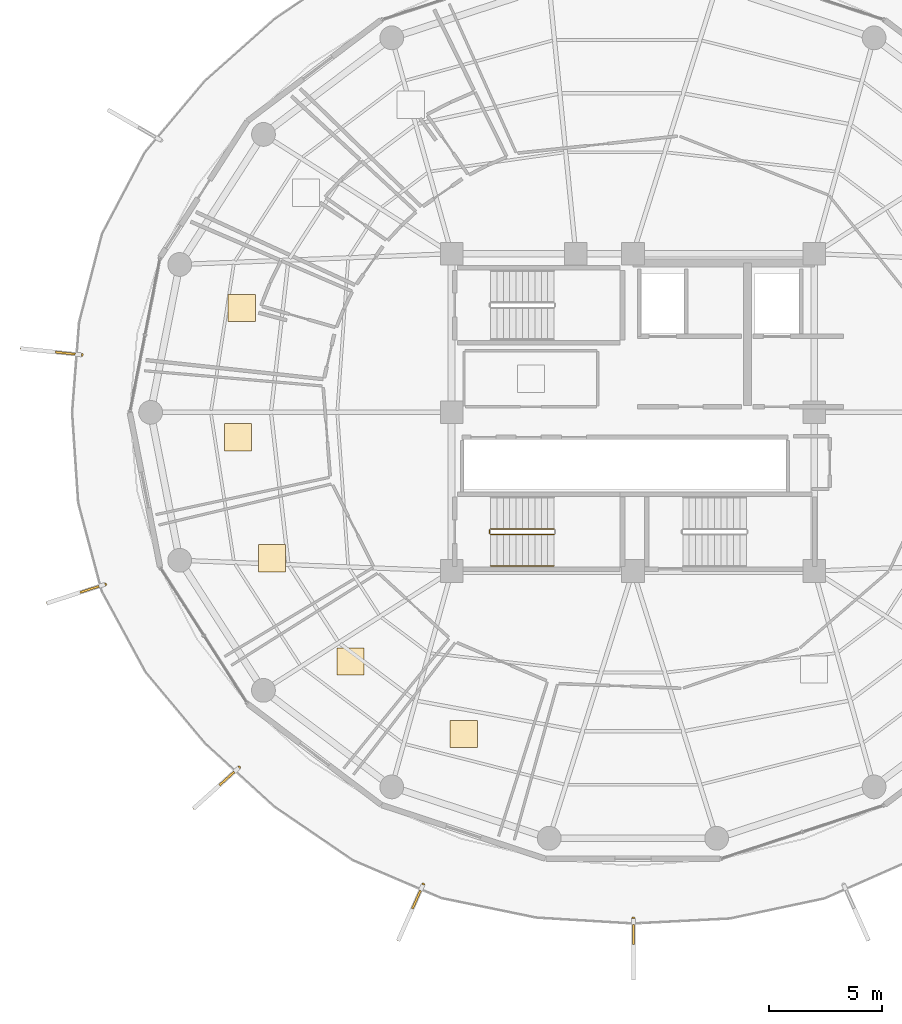
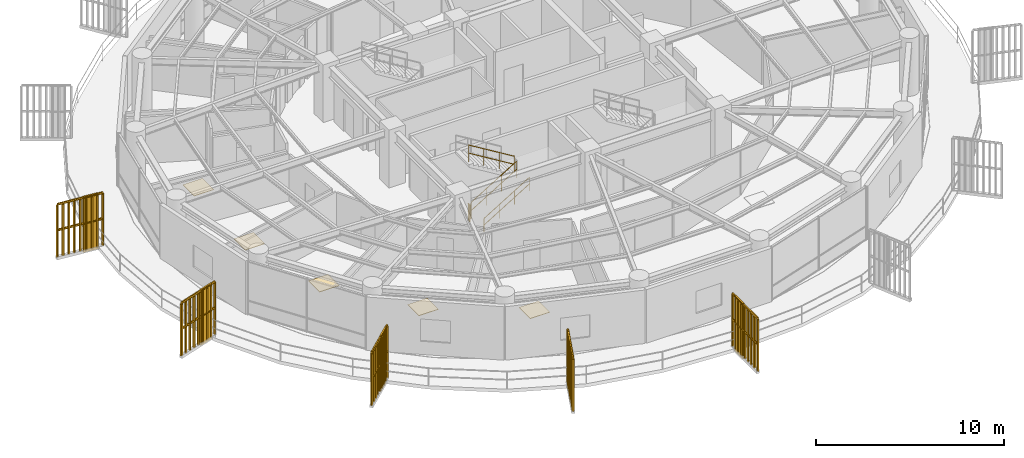
# One storey, part 28 of 31: 9 railings, 5 coverings, 5 shading devices.
"""IFC4 building model written with IfcOpenShell, lengths in metres."""

from ifc_helpers import new_model, si_unit, direction, frame, origin, origin_2d, place, context, subcontext, project, spatial, polyline, rectangle, outline, extrude, source, transform, mapped, material, layer, layer_set, type_object, element, save


model = new_model("IFC4")

# Units and contexts
model_context = context("Model", 3, precision=1e-05, world=origin(), true_north=direction((0.0, 1.0)))
body_context = subcontext(model_context, "Body", "Model", "MODEL_VIEW")
ifc_project = project(units=[si_unit("LENGTHUNIT", "METRE"), si_unit("AREAUNIT", "SQUARE_METRE"), si_unit("VOLUMEUNIT", "CUBIC_METRE"), si_unit("PLANEANGLEUNIT", "RADIAN"), si_unit("MASSUNIT", "GRAM", prefix="KILO")], contexts=[model_context])

# Site, building, storey
site_placement = place(None, origin())
site = spatial("IfcSite", under=ifc_project, at=site_placement, CompositionType="ELEMENT")
building_placement = place(site_placement, origin())
building = spatial("IfcBuilding", under=site, at=building_placement, Name="Kelanora Arch Commons", CompositionType="ELEMENT")
storey_placement = place(building_placement, frame((0.0, 0.0, 223.199951171875)))
storey = spatial("IfcBuildingStorey", under=building, at=storey_placement, Name="L57", CompositionType="ELEMENT", Elevation=223.199951171875)

# Railings
ifc_material_1 = material(Name="Anodised bronze vertical shading fin rib assembly")
railing_type_1 = type_object("IfcRailingType", Name="RAIL-FIN-BRZ", PredefinedType="BALUSTRADE", material=ifc_material_1)
railing_1_placement = place(storey_placement, frame((49.674072265625, 60.538818359375, -0.02001953125)))
element("IfcRailing", 1, at=railing_1_placement, inside=storey, type_object=railing_type_1, Name="Sweeping Bronze Vertical Fin Blade L57-09", PredefinedType="BALUSTRADE", context=body_context, shape_type="SweptSolid", body=[
    extrude(outline(polyline([(0.06982421875, 0.0), (0.034912109375, 0.060546875), (-0.034912109375, 0.060546875), (-0.06982421875, 0.0), (-0.034912109375, -0.060546875), (0.034912109375, -0.060546875), (0.06982421875, 0.0)])), frame((0.0, 0.0, 3.419921875), z_axis=(-0.994598420044, 0.103797797888, 0.0), x_axis=(-0.103797797888, -0.994598420044, 0.0)), (0.0, 0.0, 1.0), 2.65087890625),
    extrude(outline(polyline([(0.06982421875, 0.0), (0.034912109375, 0.060546875), (-0.034912109375, 0.060546875), (-0.06982421875, 0.0), (-0.034912109375, -0.060546875), (0.034912109375, -0.060546875), (0.06982421875, 0.0)])), frame((0.0, 0.0, 1.7451171875), z_axis=(-0.994598420044, 0.103797797888, 0.0), x_axis=(-0.103797797888, -0.994598420044, 0.0)), (0.0, 0.0, 1.0), 2.65087890625),
    extrude(outline(polyline([(0.080078125, 0.0), (0.0400390625, 0.0693359375), (-0.0400390625, 0.0693359375), (-0.080078125, 0.0), (-0.0400390625, -0.0693359375), (0.0400390625, -0.0693359375), (0.080078125, 0.0)])), origin(), (0.0, 0.0, 1.0), 3.35009765625),
    extrude(outline(polyline([(0.080078125, 0.0), (0.0400390625, 0.0693359375), (-0.0400390625, 0.0693359375), (-0.080078125, 0.0), (-0.0400390625, -0.0693359375), (0.0400390625, -0.0693359375), (0.080078125, 0.0)])), frame((-0.32958984375, 0.034423828125, 0.0)), (0.0, 0.0, 1.0), 3.35009765625),
    extrude(outline(polyline([(0.080078125, 0.0), (0.0400390625, 0.0693359375), (-0.0400390625, 0.0693359375), (-0.080078125, 0.0), (-0.0400390625, -0.0693359375), (0.0400390625, -0.0693359375), (0.080078125, 0.0)])), frame((-0.6591796875, 0.06884765625, 0.0)), (0.0, 0.0, 1.0), 3.35009765625),
    extrude(outline(polyline([(0.080078125, 0.0), (0.0400390625, 0.0693359375), (-0.0400390625, 0.0693359375), (-0.080078125, 0.0), (-0.0400390625, -0.0693359375), (0.0400390625, -0.0693359375), (0.080078125, 0.0)])), frame((-0.98876953125, 0.103271484375, 0.0)), (0.0, 0.0, 1.0), 3.35009765625),
    extrude(outline(polyline([(0.080078125, 0.0), (0.0400390625, 0.0693359375), (-0.0400390625, 0.0693359375), (-0.080078125, 0.0), (-0.0400390625, -0.0693359375), (0.0400390625, -0.0693359375), (0.080078125, 0.0)])), frame((-1.318359375, 0.1376953125, 0.0)), (0.0, 0.0, 1.0), 3.35009765625),
    extrude(outline(polyline([(0.080078125, 0.0), (0.0400390625, 0.0693359375), (-0.0400390625, 0.0693359375), (-0.080078125, 0.0), (-0.0400390625, -0.0693359375), (0.0400390625, -0.0693359375), (0.080078125, 0.0)])), frame((-1.647705078125, 0.171875, 0.0)), (0.0, 0.0, 1.0), 3.35009765625),
    extrude(outline(polyline([(0.080078125, 0.0), (0.0400390625, 0.0693359375), (-0.0400390625, 0.0693359375), (-0.080078125, 0.0), (-0.0400390625, -0.0693359375), (0.0400390625, -0.0693359375), (0.080078125, 0.0)])), frame((-1.977294921875, 0.206298828125, 0.0)), (0.0, 0.0, 1.0), 3.35009765625),
    extrude(outline(polyline([(0.080078125, 0.0), (0.0400390625, 0.0693359375), (-0.0400390625, 0.0693359375), (-0.080078125, 0.0), (-0.0400390625, -0.0693359375), (0.0400390625, -0.0693359375), (0.080078125, 0.0)])), frame((-2.306884765625, 0.24072265625, 0.0)), (0.0, 0.0, 1.0), 3.35009765625),
    extrude(outline(polyline([(0.080078125, 0.0), (0.0400390625, 0.0693359375), (-0.0400390625, 0.0693359375), (-0.080078125, 0.0), (-0.0400390625, -0.0693359375), (0.0400390625, -0.0693359375), (0.080078125, 0.0)])), frame((-2.636474609375, 0.275146484375, 0.0)), (0.0, 0.0, 1.0), 3.35009765625),
])
railing_2_placement = place(storey_placement, frame((50.709716796875, 50.413818359375, -0.02001953125)))
element("IfcRailing", 2, at=railing_2_placement, inside=storey, type_object=railing_type_1, Name="Sweeping Bronze Vertical Fin Blade L57-10", PredefinedType="BALUSTRADE", context=body_context, shape_type="SweptSolid", body=[
    extrude(outline(polyline([(0.06982421875, 0.0), (0.034912109375, 0.060546875), (-0.034912109375, 0.060546875), (-0.06982421875, 0.0), (-0.034912109375, -0.060546875), (0.034912109375, -0.060546875), (0.06982421875, 0.0)])), frame((0.0, 0.0, 3.419921875), z_axis=(-0.950825394223, -0.309727411931, 0.0), x_axis=(0.309727411931, -0.950825394223, 0.0)), (0.0, 0.0, 1.0), 2.65087890625),
    extrude(outline(polyline([(0.06982421875, 0.0), (0.034912109375, 0.060546875), (-0.034912109375, 0.060546875), (-0.06982421875, 0.0), (-0.034912109375, -0.060546875), (0.034912109375, -0.060546875), (0.06982421875, 0.0)])), frame((0.0, 0.0, 1.7451171875), z_axis=(-0.950825394223, -0.309727411931, 0.0), x_axis=(0.309727411931, -0.950825394223, 0.0)), (0.0, 0.0, 1.0), 2.65087890625),
    extrude(outline(polyline([(0.080078125, 0.0), (0.0400390625, 0.0693359375), (-0.0400390625, 0.0693359375), (-0.080078125, 0.0), (-0.0400390625, -0.0693359375), (0.0400390625, -0.0693359375), (0.080078125, 0.0)])), origin(), (0.0, 0.0, 1.0), 3.35009765625),
    extrude(outline(polyline([(0.080078125, 0.0), (0.0400390625, 0.0693359375), (-0.0400390625, 0.0693359375), (-0.080078125, 0.0), (-0.0400390625, -0.0693359375), (0.0400390625, -0.0693359375), (0.080078125, 0.0)])), frame((-0.31494140625, -0.1025390625, 0.0)), (0.0, 0.0, 1.0), 3.35009765625),
    extrude(outline(polyline([(0.080078125, 0.0), (0.0400390625, 0.0693359375), (-0.0400390625, 0.0693359375), (-0.080078125, 0.0), (-0.0400390625, -0.0693359375), (0.0400390625, -0.0693359375), (0.080078125, 0.0)])), frame((-0.630126953125, -0.205322265625, 0.0)), (0.0, 0.0, 1.0), 3.35009765625),
    extrude(outline(polyline([(0.080078125, 0.0), (0.0400390625, 0.0693359375), (-0.0400390625, 0.0693359375), (-0.080078125, 0.0), (-0.0400390625, -0.0693359375), (0.0400390625, -0.0693359375), (0.080078125, 0.0)])), frame((-0.9453125, -0.307861328125, 0.0)), (0.0, 0.0, 1.0), 3.35009765625),
    extrude(outline(polyline([(0.080078125, 0.0), (0.0400390625, 0.0693359375), (-0.0400390625, 0.0693359375), (-0.080078125, 0.0), (-0.0400390625, -0.0693359375), (0.0400390625, -0.0693359375), (0.080078125, 0.0)])), frame((-1.26025390625, -0.41064453125, 0.0)), (0.0, 0.0, 1.0), 3.35009765625),
    extrude(outline(polyline([(0.080078125, 0.0), (0.0400390625, 0.0693359375), (-0.0400390625, 0.0693359375), (-0.080078125, 0.0), (-0.0400390625, -0.0693359375), (0.0400390625, -0.0693359375), (0.080078125, 0.0)])), frame((-1.5751953125, -0.51318359375, 0.0)), (0.0, 0.0, 1.0), 3.35009765625),
    extrude(outline(polyline([(0.080078125, 0.0), (0.0400390625, 0.0693359375), (-0.0400390625, 0.0693359375), (-0.080078125, 0.0), (-0.0400390625, -0.0693359375), (0.0400390625, -0.0693359375), (0.080078125, 0.0)])), frame((-1.890380859375, -0.61572265625, 0.0)), (0.0, 0.0, 1.0), 3.35009765625),
    extrude(outline(polyline([(0.080078125, 0.0), (0.0400390625, 0.0693359375), (-0.0400390625, 0.0693359375), (-0.080078125, 0.0), (-0.0400390625, -0.0693359375), (0.0400390625, -0.0693359375), (0.080078125, 0.0)])), frame((-2.20556640625, -0.718505859375, 0.0)), (0.0, 0.0, 1.0), 3.35009765625),
    extrude(outline(polyline([(0.080078125, 0.0), (0.0400390625, 0.0693359375), (-0.0400390625, 0.0693359375), (-0.080078125, 0.0), (-0.0400390625, -0.0693359375), (0.0400390625, -0.0693359375), (0.080078125, 0.0)])), frame((-2.5205078125, -0.821044921875, 0.0)), (0.0, 0.0, 1.0), 3.35009765625),
])
railing_3_placement = place(storey_placement, frame((56.62060546875, 42.32861328125, -0.02001953125)))
element("IfcRailing", 3, at=railing_3_placement, inside=storey, type_object=railing_type_1, Name="Sweeping Bronze Vertical Fin Blade L57-11", PredefinedType="BALUSTRADE", context=body_context, shape_type="SweptSolid", body=[
    extrude(outline(polyline([(0.06982421875, 0.0), (0.034912109375, 0.060546875), (-0.034912109375, 0.060546875), (-0.06982421875, 0.0), (-0.034912109375, -0.060546875), (0.034912109375, -0.060546875), (0.06982421875, 0.0)])), frame((0.0, 0.0, 3.419921875), z_axis=(-0.742593074873, -0.669742879881, 0.0), x_axis=(0.669742879881, -0.742593074873, 0.0)), (0.0, 0.0, 1.0), 2.65087890625),
    extrude(outline(polyline([(0.06982421875, 0.0), (0.034912109375, 0.060546875), (-0.034912109375, 0.060546875), (-0.06982421875, 0.0), (-0.034912109375, -0.060546875), (0.034912109375, -0.060546875), (0.06982421875, 0.0)])), frame((0.0, 0.0, 1.7451171875), z_axis=(-0.742593074873, -0.669742879881, 0.0), x_axis=(0.669742879881, -0.742593074873, 0.0)), (0.0, 0.0, 1.0), 2.65087890625),
    extrude(outline(polyline([(0.080078125, 0.0), (0.0400390625, 0.0693359375), (-0.0400390625, 0.0693359375), (-0.080078125, 0.0), (-0.0400390625, -0.0693359375), (0.0400390625, -0.0693359375), (0.080078125, 0.0)])), origin(), (0.0, 0.0, 1.0), 3.35009765625),
    extrude(outline(polyline([(0.080078125, 0.0), (0.0400390625, 0.0693359375), (-0.0400390625, 0.0693359375), (-0.080078125, 0.0), (-0.0400390625, -0.0693359375), (0.0400390625, -0.0693359375), (0.080078125, 0.0)])), frame((-0.24609375, -0.221923828125, 0.0)), (0.0, 0.0, 1.0), 3.35009765625),
    extrude(outline(polyline([(0.080078125, 0.0), (0.0400390625, 0.0693359375), (-0.0400390625, 0.0693359375), (-0.080078125, 0.0), (-0.0400390625, -0.0693359375), (0.0400390625, -0.0693359375), (0.080078125, 0.0)])), frame((-0.4921875, -0.44384765625, 0.0)), (0.0, 0.0, 1.0), 3.35009765625),
    extrude(outline(polyline([(0.080078125, 0.0), (0.0400390625, 0.0693359375), (-0.0400390625, 0.0693359375), (-0.080078125, 0.0), (-0.0400390625, -0.0693359375), (0.0400390625, -0.0693359375), (0.080078125, 0.0)])), frame((-0.73828125, -0.665771484375, 0.0)), (0.0, 0.0, 1.0), 3.35009765625),
    extrude(outline(polyline([(0.080078125, 0.0), (0.0400390625, 0.0693359375), (-0.0400390625, 0.0693359375), (-0.080078125, 0.0), (-0.0400390625, -0.0693359375), (0.0400390625, -0.0693359375), (0.080078125, 0.0)])), frame((-0.984375, -0.8876953125, 0.0)), (0.0, 0.0, 1.0), 3.35009765625),
    extrude(outline(polyline([(0.080078125, 0.0), (0.0400390625, 0.0693359375), (-0.0400390625, 0.0693359375), (-0.080078125, 0.0), (-0.0400390625, -0.0693359375), (0.0400390625, -0.0693359375), (0.080078125, 0.0)])), frame((-1.230224609375, -1.109619140625, 0.0)), (0.0, 0.0, 1.0), 3.35009765625),
    extrude(outline(polyline([(0.080078125, 0.0), (0.0400390625, 0.0693359375), (-0.0400390625, 0.0693359375), (-0.080078125, 0.0), (-0.0400390625, -0.0693359375), (0.0400390625, -0.0693359375), (0.080078125, 0.0)])), frame((-1.476318359375, -1.33154296875, 0.0)), (0.0, 0.0, 1.0), 3.35009765625),
    extrude(outline(polyline([(0.080078125, 0.0), (0.0400390625, 0.0693359375), (-0.0400390625, 0.0693359375), (-0.080078125, 0.0), (-0.0400390625, -0.0693359375), (0.0400390625, -0.0693359375), (0.080078125, 0.0)])), frame((-1.722412109375, -1.553466796875, 0.0)), (0.0, 0.0, 1.0), 3.35009765625),
    extrude(outline(polyline([(0.080078125, 0.0), (0.0400390625, 0.0693359375), (-0.0400390625, 0.0693359375), (-0.080078125, 0.0), (-0.0400390625, -0.0693359375), (0.0400390625, -0.0693359375), (0.080078125, 0.0)])), frame((-1.968505859375, -1.775390625, 0.0)), (0.0, 0.0, 1.0), 3.35009765625),
])
railing_4_placement = place(storey_placement, frame((64.740234375, 37.1611328125, -0.02001953125)))
element("IfcRailing", 4, at=railing_4_placement, inside=storey, type_object=railing_type_1, Name="Sweeping Bronze Vertical Fin Blade L57-12", PredefinedType="BALUSTRADE", context=body_context, shape_type="SweptSolid", body=[
    extrude(outline(polyline([(0.06982421875, 0.0), (0.034912109375, 0.060546875), (-0.034912109375, 0.060546875), (-0.06982421875, 0.0), (-0.034912109375, -0.060546875), (0.034912109375, -0.060546875), (0.06982421875, 0.0)])), frame((0.0, 0.0, 3.419921875), z_axis=(-0.406078646222, -0.913838132867, 0.0), x_axis=(0.913838132867, -0.406078646222, 0.0)), (0.0, 0.0, 1.0), 2.65087890625),
    extrude(outline(polyline([(0.06982421875, 0.0), (0.034912109375, 0.060546875), (-0.034912109375, 0.060546875), (-0.06982421875, 0.0), (-0.034912109375, -0.060546875), (0.034912109375, -0.060546875), (0.06982421875, 0.0)])), frame((0.0, 0.0, 1.7451171875), z_axis=(-0.406078646222, -0.913838132867, 0.0), x_axis=(0.913838132867, -0.406078646222, 0.0)), (0.0, 0.0, 1.0), 2.65087890625),
    extrude(outline(polyline([(0.080078125, 0.0), (0.0400390625, 0.0693359375), (-0.0400390625, 0.0693359375), (-0.080078125, 0.0), (-0.0400390625, -0.0693359375), (0.0400390625, -0.0693359375), (0.080078125, 0.0)])), origin(), (0.0, 0.0, 1.0), 3.35009765625),
    extrude(outline(polyline([(0.080078125, 0.0), (0.0400390625, 0.0693359375), (-0.0400390625, 0.0693359375), (-0.080078125, 0.0), (-0.0400390625, -0.0693359375), (0.0400390625, -0.0693359375), (0.080078125, 0.0)])), frame((-0.134521484375, -0.302734375, 0.0)), (0.0, 0.0, 1.0), 3.35009765625),
    extrude(outline(polyline([(0.080078125, 0.0), (0.0400390625, 0.0693359375), (-0.0400390625, 0.0693359375), (-0.080078125, 0.0), (-0.0400390625, -0.0693359375), (0.0400390625, -0.0693359375), (0.080078125, 0.0)])), frame((-0.26904296875, -0.60546875, 0.0)), (0.0, 0.0, 1.0), 3.35009765625),
    extrude(outline(polyline([(0.080078125, 0.0), (0.0400390625, 0.0693359375), (-0.0400390625, 0.0693359375), (-0.080078125, 0.0), (-0.0400390625, -0.0693359375), (0.0400390625, -0.0693359375), (0.080078125, 0.0)])), frame((-0.403564453125, -0.908447265625, 0.0)), (0.0, 0.0, 1.0), 3.35009765625),
    extrude(outline(polyline([(0.080078125, 0.0), (0.0400390625, 0.0693359375), (-0.0400390625, 0.0693359375), (-0.080078125, 0.0), (-0.0400390625, -0.0693359375), (0.0400390625, -0.0693359375), (0.080078125, 0.0)])), frame((-0.5380859375, -1.211181640625, 0.0)), (0.0, 0.0, 1.0), 3.35009765625),
    extrude(outline(polyline([(0.080078125, 0.0), (0.0400390625, 0.0693359375), (-0.0400390625, 0.0693359375), (-0.080078125, 0.0), (-0.0400390625, -0.0693359375), (0.0400390625, -0.0693359375), (0.080078125, 0.0)])), frame((-0.6728515625, -1.513916015625, 0.0)), (0.0, 0.0, 1.0), 3.35009765625),
    extrude(outline(polyline([(0.080078125, 0.0), (0.0400390625, 0.0693359375), (-0.0400390625, 0.0693359375), (-0.080078125, 0.0), (-0.0400390625, -0.0693359375), (0.0400390625, -0.0693359375), (0.080078125, 0.0)])), frame((-0.807373046875, -1.81689453125, 0.0)), (0.0, 0.0, 1.0), 3.35009765625),
    extrude(outline(polyline([(0.080078125, 0.0), (0.0400390625, 0.0693359375), (-0.0400390625, 0.0693359375), (-0.080078125, 0.0), (-0.0400390625, -0.0693359375), (0.0400390625, -0.0693359375), (0.080078125, 0.0)])), frame((-0.94189453125, -2.11962890625, 0.0)), (0.0, 0.0, 1.0), 3.35009765625),
    extrude(outline(polyline([(0.080078125, 0.0), (0.0400390625, 0.0693359375), (-0.0400390625, 0.0693359375), (-0.080078125, 0.0), (-0.0400390625, -0.0693359375), (0.0400390625, -0.0693359375), (0.080078125, 0.0)])), frame((-1.076416015625, -2.42236328125, 0.0)), (0.0, 0.0, 1.0), 3.35009765625),
])
railing_5_placement = place(storey_placement, frame((74.016357421875, 35.676513671875, -0.02001953125)))
element("IfcRailing", 5, at=railing_5_placement, inside=storey, type_object=railing_type_1, Name="Sweeping Bronze Vertical Fin Blade L57-13", PredefinedType="BALUSTRADE", context=body_context, shape_type="SweptSolid", body=[
    extrude(outline(polyline([(0.06982421875, 0.0), (0.034912109375, 0.060546875), (-0.034912109375, 0.060546875), (-0.06982421875, 0.0), (-0.034912109375, -0.060546875), (0.034912109375, -0.060546875), (0.06982421875, 0.0)])), frame((0.0, 0.0, 3.419921875), z_axis=(0.000736851601, -0.999999728525, 0.0), x_axis=(0.999999728525, 0.000736851601, 0.0)), (0.0, 0.0, 1.0), 2.650634765625),
    extrude(outline(polyline([(0.06982421875, 0.0), (0.034912109375, 0.060546875), (-0.034912109375, 0.060546875), (-0.06982421875, 0.0), (-0.034912109375, -0.060546875), (0.034912109375, -0.060546875), (0.06982421875, 0.0)])), frame((0.0, 0.0, 1.7451171875), z_axis=(0.000736851601, -0.999999728525, 0.0), x_axis=(0.999999728525, 0.000736851601, 0.0)), (0.0, 0.0, 1.0), 2.650634765625),
    extrude(outline(polyline([(0.080078125, 0.0), (0.0400390625, 0.0693359375), (-0.0400390625, 0.0693359375), (-0.080078125, 0.0), (-0.0400390625, -0.0693359375), (0.0400390625, -0.0693359375), (0.080078125, 0.0)])), origin(), (0.0, 0.0, 1.0), 3.35009765625),
    extrude(outline(polyline([(0.080078125, 0.0), (0.0400390625, 0.0693359375), (-0.0400390625, 0.0693359375), (-0.080078125, 0.0), (-0.0400390625, -0.0693359375), (0.0400390625, -0.0693359375), (0.080078125, 0.0)])), frame((0.000244140625, -0.331298828125, 0.0)), (0.0, 0.0, 1.0), 3.35009765625),
    extrude(outline(polyline([(0.080078125, 0.0), (0.0400390625, 0.0693359375), (-0.0400390625, 0.0693359375), (-0.080078125, 0.0), (-0.0400390625, -0.0693359375), (0.0400390625, -0.0693359375), (0.080078125, 0.0)])), frame((0.00048828125, -0.66259765625, 0.0)), (0.0, 0.0, 1.0), 3.35009765625),
    extrude(outline(polyline([(0.080078125, 0.0), (0.0400390625, 0.0693359375), (-0.0400390625, 0.0693359375), (-0.080078125, 0.0), (-0.0400390625, -0.0693359375), (0.0400390625, -0.0693359375), (0.080078125, 0.0)])), frame((0.000732421875, -0.993896484375, 0.0)), (0.0, 0.0, 1.0), 3.35009765625),
    extrude(outline(polyline([(0.080078125, 0.0), (0.0400390625, 0.0693359375), (-0.0400390625, 0.0693359375), (-0.080078125, 0.0), (-0.0400390625, -0.0693359375), (0.0400390625, -0.0693359375), (0.080078125, 0.0)])), frame((0.0009765625, -1.3251953125, 0.0)), (0.0, 0.0, 1.0), 3.35009765625),
    extrude(outline(polyline([(0.080078125, 0.0), (0.0400390625, 0.0693359375), (-0.0400390625, 0.0693359375), (-0.080078125, 0.0), (-0.0400390625, -0.0693359375), (0.0400390625, -0.0693359375), (0.080078125, 0.0)])), frame((0.001220703125, -1.65673828125, 0.0)), (0.0, 0.0, 1.0), 3.35009765625),
    extrude(outline(polyline([(0.080078125, 0.0), (0.0400390625, 0.0693359375), (-0.0400390625, 0.0693359375), (-0.080078125, 0.0), (-0.0400390625, -0.0693359375), (0.0400390625, -0.0693359375), (0.080078125, 0.0)])), frame((0.00146484375, -1.988037109375, 0.0)), (0.0, 0.0, 1.0), 3.35009765625),
    extrude(outline(polyline([(0.080078125, 0.0), (0.0400390625, 0.0693359375), (-0.0400390625, 0.0693359375), (-0.080078125, 0.0), (-0.0400390625, -0.0693359375), (0.0400390625, -0.0693359375), (0.080078125, 0.0)])), frame((0.001708984375, -2.3193359375, 0.0)), (0.0, 0.0, 1.0), 3.35009765625),
    extrude(outline(polyline([(0.080078125, 0.0), (0.0400390625, 0.0693359375), (-0.0400390625, 0.0693359375), (-0.080078125, 0.0), (-0.0400390625, -0.0693359375), (0.0400390625, -0.0693359375), (0.080078125, 0.0)])), frame((0.001953125, -2.650634765625, 0.0)), (0.0, 0.0, 1.0), 3.35009765625),
])
ifc_material_2 = material(Name="Painted steel stair well guard", Category="steel")
railing_type_2 = type_object("IfcRailingType", Name="RAIL-STAIR-GRD", PredefinedType="GUARDRAIL", material=ifc_material_2)
railing_6_placement = place(storey_placement, frame((67.719970703125, 52.610107421875, 0.17041015625)))
element("IfcRailing", 6, at=railing_6_placement, inside=storey, type_object=railing_type_2, Name="L57 ST-T3 stair guard 1", PredefinedType="GUARDRAIL", context=body_context, shape_type="SweptSolid", body=[
    extrude(outline(polyline([(0.02392578125, 0.0), (0.011962890625, 0.020751953125), (-0.011962890625, 0.020751953125), (-0.02392578125, 0.0), (-0.011962890625, -0.020751953125), (0.011962890625, -0.020751953125), (0.02392578125, 0.0)])), frame((0.0, 0.0, 1.076171875), z_axis=(0.854169791009, 0.0, 0.51999420009), x_axis=(0.0, 1.0, 0.0)), (0.0, 0.0, 1.0), 3.278076171875),
    extrude(outline(polyline([(0.02392578125, 0.0), (0.011962890625, 0.020751953125), (-0.011962890625, 0.020751953125), (-0.02392578125, 0.0), (-0.011962890625, -0.020751953125), (0.011962890625, -0.020751953125), (0.02392578125, 0.0)])), frame((0.0, 0.0, 0.550048828125), z_axis=(0.854169791009, 0.0, 0.51999420009), x_axis=(0.0, 1.0, 0.0)), (0.0, 0.0, 1.0), 3.278076171875),
    extrude(outline(polyline([(0.02099609375, 0.0), (0.010498046875, 0.01806640625), (-0.010498046875, 0.01806640625), (-0.02099609375, 0.0), (-0.010498046875, -0.01806640625), (0.010498046875, -0.01806640625), (0.02099609375, 0.0)])), origin(), (0.0, 0.0, 1.0), 1.052001953125),
    extrude(outline(polyline([(0.02099609375, 0.0), (0.010498046875, 0.01806640625), (-0.010498046875, 0.01806640625), (-0.02099609375, 0.0), (-0.010498046875, -0.01806640625), (0.010498046875, -0.01806640625), (0.02099609375, 0.0)])), frame((0.933349609375, 0.0, 0.568115234375)), (0.0, 0.0, 1.0), 1.052001953125),
    extrude(outline(polyline([(0.02099609375, 0.0), (0.010498046875, 0.01806640625), (-0.010498046875, 0.01806640625), (-0.02099609375, 0.0), (-0.010498046875, -0.01806640625), (0.010498046875, -0.01806640625), (0.02099609375, 0.0)])), frame((1.86669921875, 0.0, 1.136474609375)), (0.0, 0.0, 1.0), 1.052001953125),
    extrude(outline(polyline([(0.02099609375, 0.0), (0.010498046875, 0.01806640625), (-0.010498046875, 0.01806640625), (-0.02099609375, 0.0), (-0.010498046875, -0.01806640625), (0.010498046875, -0.01806640625), (0.02099609375, 0.0)])), frame((2.800048828125, 0.0, 1.70458984375)), (0.0, 0.0, 1.0), 1.052001953125),
])
railing_7_placement = place(storey_placement, frame((70.52001953125, 52.860107421875, 2.04541015625)))
element("IfcRailing", 7, at=railing_7_placement, inside=storey, type_object=railing_type_2, Name="L57 ST-T3 stair guard 3", PredefinedType="GUARDRAIL", context=body_context, shape_type="SweptSolid", body=[
    extrude(outline(polyline([(0.02392578125, 0.0), (0.011962890625, 0.020751953125), (-0.011962890625, 0.020751953125), (-0.02392578125, 0.0), (-0.011962890625, -0.020751953125), (0.011962890625, -0.020751953125), (0.02392578125, 0.0)])), frame((0.0, 0.0, 1.076171875), z_axis=(-0.854169791009, 0.0, 0.51999420009), x_axis=(0.0, -1.0, 0.0)), (0.0, 0.0, 1.0), 3.278076171875),
    extrude(outline(polyline([(0.02392578125, 0.0), (0.011962890625, 0.020751953125), (-0.011962890625, 0.020751953125), (-0.02392578125, 0.0), (-0.011962890625, -0.020751953125), (0.011962890625, -0.020751953125), (0.02392578125, 0.0)])), frame((0.0, 0.0, 0.550048828125), z_axis=(-0.854169791009, 0.0, 0.51999420009), x_axis=(0.0, -1.0, 0.0)), (0.0, 0.0, 1.0), 3.278076171875),
    extrude(outline(polyline([(0.02099609375, 0.0), (0.010498046875, 0.01806640625), (-0.010498046875, 0.01806640625), (-0.02099609375, 0.0), (-0.010498046875, -0.01806640625), (0.010498046875, -0.01806640625), (0.02099609375, 0.0)])), origin(), (0.0, 0.0, 1.0), 1.052001953125),
    extrude(outline(polyline([(0.02099609375, 0.0), (0.010498046875, 0.01806640625), (-0.010498046875, 0.01806640625), (-0.02099609375, 0.0), (-0.010498046875, -0.01806640625), (0.010498046875, -0.01806640625), (0.02099609375, 0.0)])), frame((-0.933349609375, 0.0, 0.568115234375)), (0.0, 0.0, 1.0), 1.052001953125),
    extrude(outline(polyline([(0.02099609375, 0.0), (0.010498046875, 0.01806640625), (-0.010498046875, 0.01806640625), (-0.02099609375, 0.0), (-0.010498046875, -0.01806640625), (0.010498046875, -0.01806640625), (0.02099609375, 0.0)])), frame((-1.86669921875, 0.0, 1.136474609375)), (0.0, 0.0, 1.0), 1.052001953125),
    extrude(outline(polyline([(0.02099609375, 0.0), (0.010498046875, 0.01806640625), (-0.010498046875, 0.01806640625), (-0.02099609375, 0.0), (-0.010498046875, -0.01806640625), (0.010498046875, -0.01806640625), (0.02099609375, 0.0)])), frame((-2.800048828125, 0.0, 1.70458984375)), (0.0, 0.0, 1.0), 1.052001953125),
])
railing_8_placement = place(storey_placement, frame((67.669921875, 52.659912109375, 0.0)))
element("IfcRailing", 8, at=railing_8_placement, inside=storey, type_object=railing_type_2, Name="L57 ST-T3 stair guard 4", PredefinedType="GUARDRAIL", context=body_context, shape_type="SweptSolid", body=[
    extrude(outline(polyline([(0.02392578125, 0.0), (0.011962890625, 0.020751953125), (-0.011962890625, 0.020751953125), (-0.02392578125, 0.0), (-0.011962890625, -0.020751953125), (0.011962890625, -0.020751953125), (0.02392578125, 0.0)])), frame((0.0, 0.0, 1.076171875), z_axis=(0.0, 1.0, 0.0), x_axis=(-1.0, 0.0, 0.0)), (0.0, 0.0, 1.0), 0.150146484375),
    extrude(outline(polyline([(0.02392578125, 0.0), (0.011962890625, 0.020751953125), (-0.011962890625, 0.020751953125), (-0.02392578125, 0.0), (-0.011962890625, -0.020751953125), (0.011962890625, -0.020751953125), (0.02392578125, 0.0)])), frame((0.0, 0.0, 0.550048828125), z_axis=(0.0, 1.0, 0.0), x_axis=(-1.0, 0.0, 0.0)), (0.0, 0.0, 1.0), 0.150146484375),
    extrude(outline(polyline([(0.02099609375, 0.0), (0.010498046875, 0.01806640625), (-0.010498046875, 0.01806640625), (-0.02099609375, 0.0), (-0.010498046875, -0.01806640625), (0.010498046875, -0.01806640625), (0.02099609375, 0.0)])), origin(), (0.0, 0.0, 1.0), 1.052001953125),
    extrude(outline(polyline([(0.02099609375, 0.0), (0.010498046875, 0.01806640625), (-0.010498046875, 0.01806640625), (-0.02099609375, 0.0), (-0.010498046875, -0.01806640625), (0.010498046875, -0.01806640625), (0.02099609375, 0.0)])), frame((0.0, 0.150146484375, 0.0)), (0.0, 0.0, 1.0), 1.052001953125),
])
ifc_material_3 = material(Name="Brushed stainless steel stair handrail", Category="steel")
railing_type_3 = type_object("IfcRailingType", Name="RAIL-STAIR-HND", PredefinedType="HANDRAIL", material=ifc_material_3)
railing_9_placement = place(storey_placement, frame((67.719970703125, 51.22998046875, 0.17041015625)))
element("IfcRailing", 9, at=railing_9_placement, inside=storey, type_object=railing_type_3, Name="L57 ST-T3 stair handrail 1", PredefinedType="HANDRAIL", context=body_context, shape_type="SweptSolid", body=[
    extrude(outline(polyline([(0.02392578125, 0.0), (0.011962890625, 0.020751953125), (-0.011962890625, 0.020751953125), (-0.02392578125, 0.0), (-0.011962890625, -0.020751953125), (0.011962890625, -0.020751953125), (0.02392578125, 0.0)])), frame((0.0, 0.0, 0.8759765625), z_axis=(0.854169791009, 0.0, 0.51999420009), x_axis=(0.0, 1.0, 0.0)), (0.0, 0.0, 1.0), 3.278076171875),
    extrude(outline(polyline([(0.02392578125, 0.0), (0.011962890625, 0.020751953125), (-0.011962890625, 0.020751953125), (-0.02392578125, 0.0), (-0.011962890625, -0.020751953125), (0.011962890625, -0.020751953125), (0.02392578125, 0.0)])), frame((0.0, 0.0, 0.449951171875), z_axis=(0.854169791009, 0.0, 0.51999420009), x_axis=(0.0, 1.0, 0.0)), (0.0, 0.0, 1.0), 3.278076171875),
    extrude(outline(polyline([(0.02099609375, 0.0), (0.010498046875, 0.01806640625), (-0.010498046875, 0.01806640625), (-0.02099609375, 0.0), (-0.010498046875, -0.01806640625), (0.010498046875, -0.01806640625), (0.02099609375, 0.0)])), origin(), (0.0, 0.0, 1.0), 0.851806640625),
    extrude(outline(polyline([(0.02099609375, 0.0), (0.010498046875, 0.01806640625), (-0.010498046875, 0.01806640625), (-0.02099609375, 0.0), (-0.010498046875, -0.01806640625), (0.010498046875, -0.01806640625), (0.02099609375, 0.0)])), frame((0.933349609375, 0.0, 0.568115234375)), (0.0, 0.0, 1.0), 0.851806640625),
    extrude(outline(polyline([(0.02099609375, 0.0), (0.010498046875, 0.01806640625), (-0.010498046875, 0.01806640625), (-0.02099609375, 0.0), (-0.010498046875, -0.01806640625), (0.010498046875, -0.01806640625), (0.02099609375, 0.0)])), frame((1.86669921875, 0.0, 1.136474609375)), (0.0, 0.0, 1.0), 0.851806640625),
    extrude(outline(polyline([(0.02099609375, 0.0), (0.010498046875, 0.01806640625), (-0.010498046875, 0.01806640625), (-0.02099609375, 0.0), (-0.010498046875, -0.01806640625), (0.010498046875, -0.01806640625), (0.02099609375, 0.0)])), frame((2.800048828125, 0.0, 1.70458984375)), (0.0, 0.0, 1.0), 0.851806640625),
])

# Shading devices
ifc_material_4 = material(Name="Terracotta ceramic-clad extruded aluminium fin", Category="masonry")
shading_device_type = type_object("IfcShadingDeviceType", Name="SHD-FIN-FLARE", PredefinedType="USERDEFINED", material=ifc_material_4)
shared_shape_1 = source(origin(), body_context, "Body", "SweptSolid", [
    extrude(rectangle(XDim=0.8798828125, YDim=0.090087890625, at=origin_2d()), origin(), (0.0, 0.0, 1.0), 3.610107421875),
])
for number, where, z_axis, x_axis, name in (
    (10, (48.957763671875, 60.613525390625, -0.14013671875), (0.0, 0.0, 1.0), (-0.994594627637, 0.103834130589, 0.0), "Sweeping Terracotta Fin L57-09"),
    (11, (50.025146484375, 50.190673828125, -0.14013671875), (0.0, 0.0, 1.0), (-0.950840549986, -0.309680881719, 0.0), "Sweeping Terracotta Fin L57-10"),
    (12, (56.0859375, 41.846435546875, -0.14013671875), (0.0, 0.0, 1.0), (-0.742677503127, -0.669649256215, 0.0), "Sweeping Terracotta Fin L57-11"),
    (13, (64.447998046875, 36.503173828125, -0.14013671875), (0.0, 0.0, 1.0), (-0.406098768964, -0.913829190738, 0.0), "Sweeping Terracotta Fin L57-12"),
    (14, (74.016845703125, 34.95654296875, -0.14013671875), (0.0, 0.0, 1.0), (0.000698131644, -0.999999756306, 0.0), "Sweeping Terracotta Fin L57-13"),
):
    element("IfcShadingDevice", number, at=place(storey_placement, frame(where, z_axis=z_axis, x_axis=x_axis)), inside=storey, type_object=shading_device_type, Name=name, ObjectType="FIN", PredefinedType="USERDEFINED", context=body_context, shape_type="MappedRepresentation", body=[
        mapped(shared_shape_1, transform((0.0, 0.0, 0.0), scale=1.0)),
    ])

# Coverings
ifc_material_5 = material(Name="Polished local granite terrazzo flooring", Category="masonry")
ifc_layer = layer(ifc_material_5, 0.030029296875)
ifc_layer_set = layer_set([ifc_layer], Name="Polished local granite terrazzo flooring")
covering_type = type_object("IfcCoveringType", Name="COV-FLR-TER", PredefinedType="FLOORING", material=ifc_layer_set)
shared_shape_2 = source(origin(), body_context, "Body", "SweptSolid", [
    extrude(rectangle(XDim=1.199951171875, YDim=1.199951171875, at=origin_2d()), origin(), (0.0, 0.0, 1.0), 0.030029296875),
])
for number, where, z_axis, x_axis, name in (
    (15, (56.74169921875, 62.6103515625, 0.0), (0.0, 0.0, 1.0), (1.0, 0.0, 0.0), "Cluster Bedroom L57-03 Terrazzo Finish"),
    (16, (56.575927734375, 56.905517578125, 0.0), (0.0, 0.0, 1.0), (1.0, 0.0, 0.0), "Shared Cluster Kitchen L57-04 Terrazzo Finish"),
    (17, (58.072021484375, 51.560791015625, 0.0), (0.0, 0.0, 1.0), (1.0, 0.0, 0.0), "Social Sky Lounge L57-05 Terrazzo Finish"),
    (18, (61.53271484375, 47.010498046875, 0.0), (0.0, 0.0, 1.0), (1.0, 0.0, 0.0), "Quiet Seminar Study Room L57-06 Terrazzo Finish"),
    (19, (66.53173828125, 43.81591796875, 0.0), (0.0, 0.0, 1.0), (1.0, 0.0, 0.0), "Quiet Seminar Study Room L57-07 Terrazzo Finish"),
):
    element("IfcCovering", number, at=place(storey_placement, frame(where, z_axis=z_axis, x_axis=x_axis)), inside=storey, type_object=covering_type, Name=name, PredefinedType="FLOORING", context=body_context, shape_type="MappedRepresentation", body=[
        mapped(shared_shape_2, transform((0.0, 0.0, 0.0), scale=1.0)),
    ])

save(model, "model.ifc")
